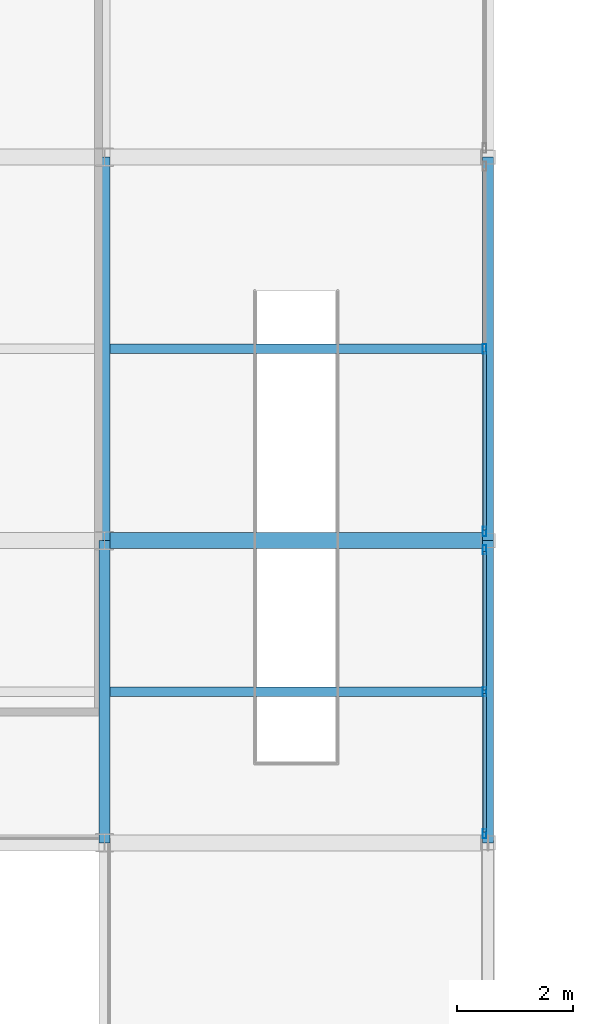
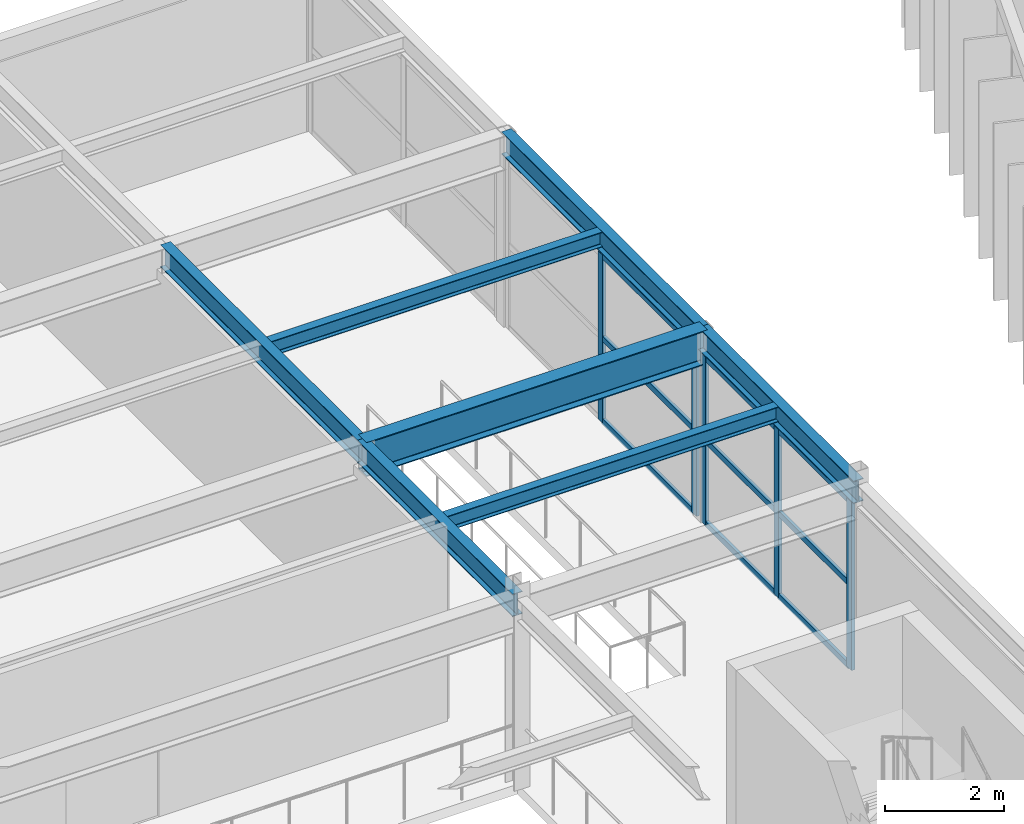
# One storey, part 48 of 157: 14 members, 7 beams, 2 elements without a shape of their own.
"""IFC4 building model written with IfcOpenShell, lengths in metres."""

from ifc_helpers import new_model, si_unit, direction, frame, origin, origin_2d, place, context, subcontext, project, spatial, hollow_rectangle, i_section, extrude, material, material_profile, profile_set, type_object, element, aggregate, save


model = new_model("IFC4")

# Units and contexts
model_context = context("Model", 3, precision=1e-05, world=origin(), true_north=direction((0.0, 1.0)))
body_context = subcontext(model_context, "Body", "Model", "MODEL_VIEW")
ifc_project = project(units=[si_unit("LENGTHUNIT", "METRE"), si_unit("AREAUNIT", "SQUARE_METRE"), si_unit("VOLUMEUNIT", "CUBIC_METRE"), si_unit("PLANEANGLEUNIT", "RADIAN"), si_unit("MASSUNIT", "GRAM", prefix="KILO")], contexts=[model_context])

# Site, building, storey
site_placement = place(None, origin())
site = spatial("IfcSite", under=ifc_project, at=site_placement, CompositionType="ELEMENT")
building_placement = place(site_placement, origin())
building = spatial("IfcBuilding", under=site, at=building_placement, Name="Karori Crest Natural Sciences Institute", CompositionType="ELEMENT")
storey_placement = place(building_placement, frame((0.0, 0.0, 13.300048828125)))
storey = spatial("IfcBuildingStorey", under=building, at=storey_placement, Name="L03", CompositionType="ELEMENT", Elevation=13.300048828125)

# Beams
ifc_material_1 = material(Name="Structural steel AS/NZS 3679.1 Grade 350", Category="steel")
ifc_material_profile_1 = material_profile(ifc_material_1, i_section(OverallWidth=0.27490234375, OverallDepth=0.699951171875, WebThickness=0.010009765625, FlangeThickness=0.02001953125, FilletRadius=0.013916015625, at=origin_2d()), Name="700WB150")
ifc_profile_set_1 = profile_set([ifc_material_profile_1], Name="Structural steel AS/NZS 3679.1 Grade 350")
beam_type_1 = type_object("IfcBeamType", Name="BT-03", PredefinedType="BEAM", material=ifc_profile_set_1)
beam_1_placement = place(storey_placement, frame((20.60009765625, 60.199951171875, 3.570068359375), z_axis=(1.0, 0.0, 0.0), x_axis=(0.0, 1.0, 0.0)))
element("IfcBeam", 1, at=beam_1_placement, inside=storey, type_object=beam_type_1, Name="Beam B-1154", PredefinedType="BEAM", context=body_context, shape_type="SweptSolid", body=[
    extrude(i_section(OverallWidth=0.27490234375, OverallDepth=0.699951171875, WebThickness=0.010009765625, FlangeThickness=0.02001953125, FilletRadius=0.013916015625, at=origin_2d()), origin(), (0.0, 0.0, 1.0), 6.599853515625),
])
ifc_material_profile_2 = material_profile(ifc_material_1, i_section(OverallWidth=0.19091796875, OverallDepth=0.4599609375, WebThickness=0.010009765625, FlangeThickness=0.01611328125, FilletRadius=0.010986328125, at=origin_2d()), Name="460UB82.1")
ifc_profile_set_2 = profile_set([ifc_material_profile_2], Name="Structural steel AS/NZS 3679.1 Grade 350")
beam_type_2 = type_object("IfcBeamType", Name="BT-06", PredefinedType="BEAM", material=ifc_profile_set_2)
beam_2_placement = place(storey_placement, frame((20.60009765625, 55.0, 3.68994140625), z_axis=(0.0, 1.0, 0.0), x_axis=(-1.0, 0.0, 0.0)))
element("IfcBeam", 2, at=beam_2_placement, inside=storey, type_object=beam_type_2, Name="Beam B-1179", PredefinedType="BEAM", context=body_context, shape_type="SweptSolid", body=[
    extrude(i_section(OverallWidth=0.19091796875, OverallDepth=0.4599609375, WebThickness=0.010009765625, FlangeThickness=0.01611328125, FilletRadius=0.010986328125, at=origin_2d()), origin(), (0.0, 0.0, 1.0), 5.199951171875),
])
beam_3_placement = place(storey_placement, frame((20.60009765625, 60.199951171875, 3.68994140625), z_axis=(0.0, 1.0, 0.0), x_axis=(-1.0, 0.0, 0.0)))
element("IfcBeam", 3, at=beam_3_placement, inside=storey, type_object=beam_type_2, Name="Beam B-1180", PredefinedType="BEAM", context=body_context, shape_type="SweptSolid", body=[
    extrude(i_section(OverallWidth=0.19091796875, OverallDepth=0.4599609375, WebThickness=0.010009765625, FlangeThickness=0.01611328125, FilletRadius=0.010986328125, at=origin_2d()), origin(), (0.0, 0.0, 1.0), 6.60009765625),
])
ifc_material_profile_3 = material_profile(ifc_material_1, i_section(OverallWidth=0.19091796875, OverallDepth=0.4599609375, WebThickness=0.010009765625, FlangeThickness=0.01611328125, FilletRadius=0.010986328125, at=origin_2d()), Name="460UB82.1")
ifc_profile_set_3 = profile_set([ifc_material_profile_3], Name="Structural steel AS/NZS 3679.1 Grade 350")
beam_type_3 = type_object("IfcBeamType", Name="BT-06-EL", PredefinedType="BEAM", material=ifc_profile_set_3)
beam_4_placement = place(storey_placement, frame((27.199951171875, 55.0, 3.68994140625), z_axis=(0.0, 1.0, 0.0), x_axis=(-1.0, 0.0, 0.0)))
element("IfcBeam", 4, at=beam_4_placement, inside=storey, type_object=beam_type_3, Name="Beam B-1186", PredefinedType="BEAM", context=body_context, shape_type="SweptSolid", body=[
    extrude(i_section(OverallWidth=0.19091796875, OverallDepth=0.4599609375, WebThickness=0.010009765625, FlangeThickness=0.01611328125, FilletRadius=0.010986328125, at=origin_2d()), origin(), (0.0, 0.0, 1.0), 5.199951171875),
])
beam_5_placement = place(storey_placement, frame((27.199951171875, 60.199951171875, 3.68994140625), z_axis=(0.0, 1.0, 0.0), x_axis=(-1.0, 0.0, 0.0)))
element("IfcBeam", 5, at=beam_5_placement, inside=storey, type_object=beam_type_3, Name="Beam B-1187", PredefinedType="BEAM", context=body_context, shape_type="SweptSolid", body=[
    extrude(i_section(OverallWidth=0.19091796875, OverallDepth=0.4599609375, WebThickness=0.010009765625, FlangeThickness=0.01611328125, FilletRadius=0.010986328125, at=origin_2d()), origin(), (0.0, 0.0, 1.0), 6.60009765625),
])
ifc_material_profile_4 = material_profile(ifc_material_1, i_section(OverallWidth=0.166015625, OverallDepth=0.306884765625, WebThickness=0.006591796875, FlangeThickness=0.01171875, FilletRadius=0.010986328125, at=origin_2d()), Name="310UB46.2")
ifc_profile_set_4 = profile_set([ifc_material_profile_4], Name="Structural steel AS/NZS 3679.1 Grade 350")
beam_type_4 = type_object("IfcBeamType", Name="BT-09", PredefinedType="BEAM", material=ifc_profile_set_4)
for number, where, z_axis, x_axis, name in (
    (6, (20.695556640625, 57.60009765625, 3.766357421875), (1.0, 0.0, 0.0), (0.0, 1.0, 0.0), "Beam B-1204"),
    (7, (20.695556640625, 63.5, 3.766357421875), (1.0, 0.0, 0.0), (0.0, 1.0, 0.0), "Beam B-1205"),
):
    element("IfcBeam", number, at=place(storey_placement, frame(where, z_axis=z_axis, x_axis=x_axis)), inside=storey, type_object=beam_type_4, Name=name, PredefinedType="BEAM", context=body_context, shape_type="SweptSolid", body=[
        extrude(i_section(OverallWidth=0.166015625, OverallDepth=0.306884765625, WebThickness=0.006591796875, FlangeThickness=0.01171875, FilletRadius=0.010986328125, at=origin_2d()), origin(), (0.0, 0.0, 1.0), 6.408935546875),
    ])

# Curtain wall, members
ifc_material_2 = material(Name="Anodised architectural aluminium 6063-T6", Category="aluminium")
curtain_wall_type = type_object("IfcCurtainWallType", Name="CWT-18", PredefinedType="NOTDEFINED", material=ifc_material_2)
curtain_wall_1_placement = place(storey_placement, origin())
curtain_wall_1 = element("IfcCurtainWall", 8, at=curtain_wall_1_placement, inside=storey, type_object=curtain_wall_type, Name="Curtain wall CW-0283", PredefinedType="NOTDEFINED")
ifc_material_profile_5 = material_profile(ifc_material_2, hollow_rectangle(XDim=0.06494140625, YDim=0.159912109375, WallThickness=0.00390625, at=origin_2d()), Name="CWM160x65x4")
ifc_profile_set_5 = profile_set([ifc_material_profile_5], Name="Anodised architectural aluminium 6063-T6")
member_type_1 = type_object("IfcMemberType", Name="CWM-01", PredefinedType="MULLION", material=ifc_profile_set_5)
member_1_placement = place(storey_placement, frame((27.139892578125, 60.04443359375, 0.0), z_axis=(0.0, 0.0, 1.0), x_axis=(1.0, 0.0, 0.0)))
member_1 = element("IfcMember", 9, at=member_1_placement, type_object=member_type_1, Name="CW-0283 mullion 1", PredefinedType="MULLION", context=body_context, shape_type="SweptSolid", body=[
    extrude(hollow_rectangle(XDim=0.06494140625, YDim=0.159912109375, WallThickness=0.00390625, at=origin_2d()), origin(), (0.0, 0.0, 1.0), 3.445068359375),
])
member_2_placement = place(storey_placement, frame((27.139892578125, 57.60009765625, 0.0), z_axis=(0.0, 0.0, 1.0), x_axis=(1.0, 0.0, 0.0)))
member_2 = element("IfcMember", 10, at=member_2_placement, type_object=member_type_1, Name="CW-0283 mullion 2", PredefinedType="MULLION", context=body_context, shape_type="SweptSolid", body=[
    extrude(hollow_rectangle(XDim=0.06494140625, YDim=0.159912109375, WallThickness=0.00390625, at=origin_2d()), origin(), (0.0, 0.0, 1.0), 3.445068359375),
])
member_3_placement = place(storey_placement, frame((27.139892578125, 55.155517578125, 0.0), z_axis=(0.0, 0.0, 1.0), x_axis=(1.0, 0.0, 0.0)))
member_3 = element("IfcMember", 11, at=member_3_placement, type_object=member_type_1, Name="CW-0283 mullion 3", PredefinedType="MULLION", context=body_context, shape_type="SweptSolid", body=[
    extrude(hollow_rectangle(XDim=0.06494140625, YDim=0.159912109375, WallThickness=0.00390625, at=origin_2d()), origin(), (0.0, 0.0, 1.0), 3.445068359375),
])

curtain_wall_2_placement = place(storey_placement, origin())
curtain_wall_2 = element("IfcCurtainWall", 12, at=curtain_wall_2_placement, inside=storey, type_object=curtain_wall_type, Name="Curtain wall CW-0284", PredefinedType="NOTDEFINED")
member_4_placement = place(storey_placement, frame((27.139892578125, 63.5, 0.0), z_axis=(0.0, 0.0, 1.0), x_axis=(1.0, 0.0, 0.0)))
member_4 = element("IfcMember", 13, at=member_4_placement, type_object=member_type_1, Name="CW-0284 mullion 2", PredefinedType="MULLION", context=body_context, shape_type="SweptSolid", body=[
    extrude(hollow_rectangle(XDim=0.06494140625, YDim=0.159912109375, WallThickness=0.00390625, at=origin_2d()), origin(), (0.0, 0.0, 1.0), 3.445068359375),
])
member_5_placement = place(storey_placement, frame((27.139892578125, 60.35546875, 0.0), z_axis=(0.0, 0.0, 1.0), x_axis=(1.0, 0.0, 0.0)))
member_5 = element("IfcMember", 14, at=member_5_placement, type_object=member_type_1, Name="CW-0284 mullion 3", PredefinedType="MULLION", context=body_context, shape_type="SweptSolid", body=[
    extrude(hollow_rectangle(XDim=0.06494140625, YDim=0.159912109375, WallThickness=0.00390625, at=origin_2d()), origin(), (0.0, 0.0, 1.0), 3.445068359375),
])

# Member
ifc_material_profile_6 = material_profile(ifc_material_2, hollow_rectangle(XDim=0.06005859375, YDim=0.1201171875, WallThickness=0.00390625, at=origin_2d()), Name="CWT120x60x4")
ifc_profile_set_6 = profile_set([ifc_material_profile_6], Name="Anodised architectural aluminium 6063-T6")
member_type_2 = type_object("IfcMemberType", Name="CWT-TR1", PredefinedType="USERDEFINED", material=ifc_profile_set_6)
member_6_placement = place(storey_placement, frame((27.139892578125, 60.011962890625, 0.030029296875), z_axis=(0.0, -1.0, 0.0), x_axis=(1.0, 0.0, 0.0)))
member_6 = element("IfcMember", 15, at=member_6_placement, type_object=member_type_2, Name="CW-0283 transom 1.1", ObjectType="TRANSOM", PredefinedType="USERDEFINED", context=body_context, shape_type="SweptSolid", body=[
    extrude(hollow_rectangle(XDim=0.06005859375, YDim=0.1201171875, WallThickness=0.00390625, at=origin_2d()), origin(), (0.0, 0.0, 1.0), 2.37939453125),
])

member_7_placement = place(storey_placement, frame((27.139892578125, 60.011962890625, 1.722412109375), z_axis=(0.0, -1.0, 0.0), x_axis=(1.0, 0.0, 0.0)))
member_7 = element("IfcMember", 16, at=member_7_placement, type_object=member_type_2, Name="CW-0283 transom 1.2", ObjectType="TRANSOM", PredefinedType="USERDEFINED", context=body_context, shape_type="SweptSolid", body=[
    extrude(hollow_rectangle(XDim=0.06005859375, YDim=0.1201171875, WallThickness=0.00390625, at=origin_2d()), origin(), (0.0, 0.0, 1.0), 2.37939453125),
])

member_8_placement = place(storey_placement, frame((27.139892578125, 60.011962890625, 3.4150390625), z_axis=(0.0, -1.0, 0.0), x_axis=(1.0, 0.0, 0.0)))
member_8 = element("IfcMember", 17, at=member_8_placement, type_object=member_type_2, Name="CW-0283 transom 1.3", ObjectType="TRANSOM", PredefinedType="USERDEFINED", context=body_context, shape_type="SweptSolid", body=[
    extrude(hollow_rectangle(XDim=0.06005859375, YDim=0.1201171875, WallThickness=0.00390625, at=origin_2d()), origin(), (0.0, 0.0, 1.0), 2.37939453125),
])

member_9_placement = place(storey_placement, frame((27.139892578125, 57.5673828125, 0.030029296875), z_axis=(0.0, -1.0, 0.0), x_axis=(1.0, 0.0, 0.0)))
member_9 = element("IfcMember", 18, at=member_9_placement, type_object=member_type_2, Name="CW-0283 transom 2.1", ObjectType="TRANSOM", PredefinedType="USERDEFINED", context=body_context, shape_type="SweptSolid", body=[
    extrude(hollow_rectangle(XDim=0.06005859375, YDim=0.1201171875, WallThickness=0.00390625, at=origin_2d()), origin(), (0.0, 0.0, 1.0), 2.37939453125),
])

member_10_placement = place(storey_placement, frame((27.139892578125, 57.5673828125, 1.722412109375), z_axis=(0.0, -1.0, 0.0), x_axis=(1.0, 0.0, 0.0)))
member_10 = element("IfcMember", 19, at=member_10_placement, type_object=member_type_2, Name="CW-0283 transom 2.2", ObjectType="TRANSOM", PredefinedType="USERDEFINED", context=body_context, shape_type="SweptSolid", body=[
    extrude(hollow_rectangle(XDim=0.06005859375, YDim=0.1201171875, WallThickness=0.00390625, at=origin_2d()), origin(), (0.0, 0.0, 1.0), 2.37939453125),
])

member_11_placement = place(storey_placement, frame((27.139892578125, 57.5673828125, 3.4150390625), z_axis=(0.0, -1.0, 0.0), x_axis=(1.0, 0.0, 0.0)))
member_11 = element("IfcMember", 20, at=member_11_placement, type_object=member_type_2, Name="CW-0283 transom 2.3", ObjectType="TRANSOM", PredefinedType="USERDEFINED", context=body_context, shape_type="SweptSolid", body=[
    extrude(hollow_rectangle(XDim=0.06005859375, YDim=0.1201171875, WallThickness=0.00390625, at=origin_2d()), origin(), (0.0, 0.0, 1.0), 2.37939453125),
])

aggregate(curtain_wall_1, [member_1, member_2, member_3, member_6, member_7, member_8, member_9, member_10, member_11])

member_12_placement = place(storey_placement, frame((27.139892578125, 63.467529296875, 0.030029296875), z_axis=(0.0, -1.0, 0.0), x_axis=(1.0, 0.0, 0.0)))
member_12 = element("IfcMember", 21, at=member_12_placement, type_object=member_type_2, Name="CW-0284 transom 2.1", ObjectType="TRANSOM", PredefinedType="USERDEFINED", context=body_context, shape_type="SweptSolid", body=[
    extrude(hollow_rectangle(XDim=0.06005859375, YDim=0.1201171875, WallThickness=0.00390625, at=origin_2d()), origin(), (0.0, 0.0, 1.0), 3.07958984375),
])

member_13_placement = place(storey_placement, frame((27.139892578125, 63.467529296875, 1.722412109375), z_axis=(0.0, -1.0, 0.0), x_axis=(1.0, 0.0, 0.0)))
member_13 = element("IfcMember", 22, at=member_13_placement, type_object=member_type_2, Name="CW-0284 transom 2.2", ObjectType="TRANSOM", PredefinedType="USERDEFINED", context=body_context, shape_type="SweptSolid", body=[
    extrude(hollow_rectangle(XDim=0.06005859375, YDim=0.1201171875, WallThickness=0.00390625, at=origin_2d()), origin(), (0.0, 0.0, 1.0), 3.07958984375),
])

member_14_placement = place(storey_placement, frame((27.139892578125, 63.467529296875, 3.4150390625), z_axis=(0.0, -1.0, 0.0), x_axis=(1.0, 0.0, 0.0)))
member_14 = element("IfcMember", 23, at=member_14_placement, type_object=member_type_2, Name="CW-0284 transom 2.3", ObjectType="TRANSOM", PredefinedType="USERDEFINED", context=body_context, shape_type="SweptSolid", body=[
    extrude(hollow_rectangle(XDim=0.06005859375, YDim=0.1201171875, WallThickness=0.00390625, at=origin_2d()), origin(), (0.0, 0.0, 1.0), 3.07958984375),
])

aggregate(curtain_wall_2, [member_4, member_5, member_12, member_13, member_14])

save(model, "model.ifc")
